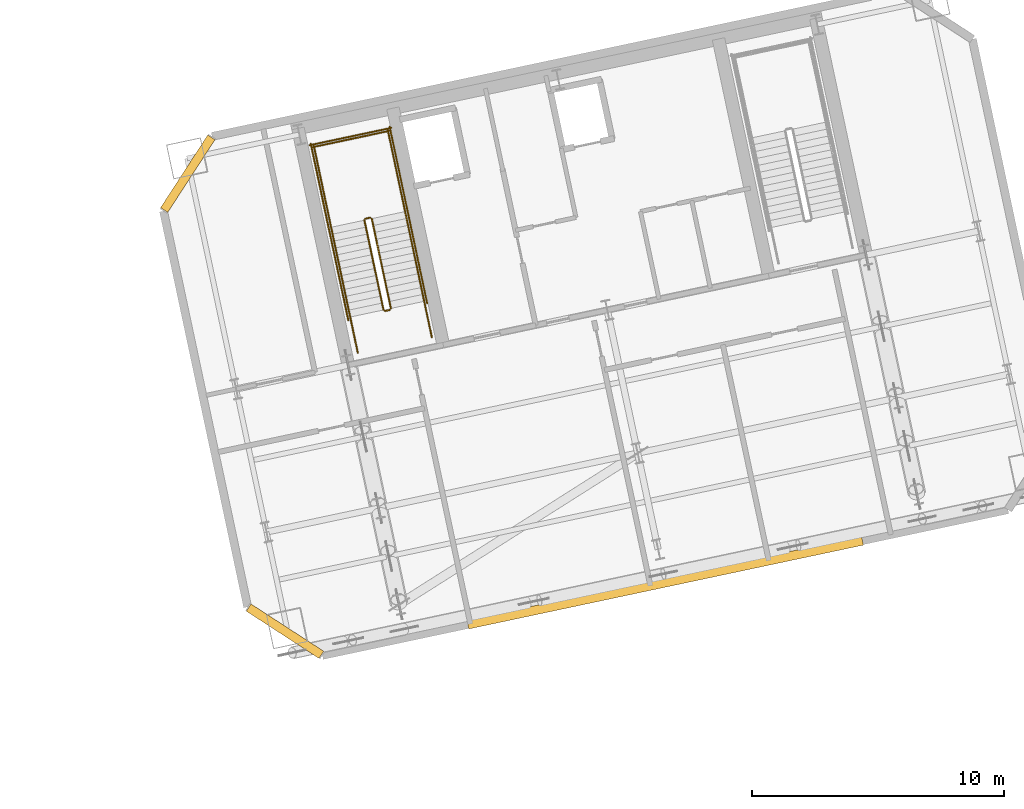
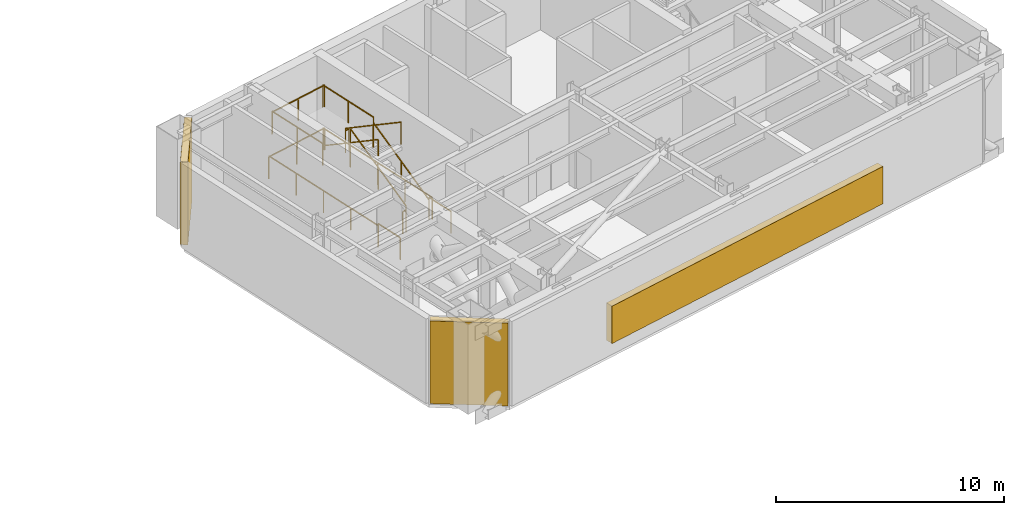
# One storey, part 14 of 15: 14 railings, 3 shading devices.
"""IFC4 building model written with IfcOpenShell, lengths in metres."""

from ifc_helpers import new_model, si_unit, direction, frame, origin, origin_2d, place, context, subcontext, project, spatial, rectangle, extrude, material, layer, layer_set, type_object, element, save


model = new_model("IFC4")

# Units and contexts
model_context = context("Model", 3, precision=1e-05, world=origin(), true_north=direction((0.0, 1.0)))
body_context = subcontext(model_context, "Body", "Model", "MODEL_VIEW")
ifc_project = project(units=[si_unit("LENGTHUNIT", "METRE"), si_unit("AREAUNIT", "SQUARE_METRE"), si_unit("VOLUMEUNIT", "CUBIC_METRE"), si_unit("PLANEANGLEUNIT", "RADIAN"), si_unit("MASSUNIT", "GRAM", prefix="KILO")], contexts=[model_context])

# Site, building, storey
site_placement = place(None, origin())
site = spatial("IfcSite", under=ifc_project, at=site_placement, CompositionType="ELEMENT")
building_placement = place(site_placement, origin())
building = spatial("IfcBuilding", under=site, at=building_placement, Name="Haevon Station Towers", CompositionType="ELEMENT")
storey_placement = place(building_placement, frame((0.0, 0.0, 138.0)))
storey = spatial("IfcBuildingStorey", under=building, at=storey_placement, Name="L37", CompositionType="ELEMENT", Elevation=138.0)

# Railings
ifc_material_1 = material(Name="Steel S355", Category="steel")
railing_type_1 = type_object("IfcRailingType", Name="GRD-STR1200", PredefinedType="GUARDRAIL", material=ifc_material_1)
railing_1_placement = place(storey_placement, frame((100.44140625, 39.69287109375, 0.17138671875)))
element("IfcRailing", 1, at=railing_1_placement, inside=storey, type_object=railing_type_1, Name="L37 ST3 Stair Guard 1", PredefinedType="GUARDRAIL", context=body_context, shape_type="SweptSolid", body=[
    extrude(rectangle(XDim=0.048095703125, YDim=0.048095703125, at=origin_2d()), frame((0.0, 0.0, 1.17578125), z_axis=(-0.17733280689, 0.834207846092, 0.522159310096), x_axis=(-0.978143676638, -0.20793015138, 0.0)), (0.0, 0.0, 1.0), 4.267822265625),
    extrude(rectangle(XDim=0.0419921875, YDim=0.0419921875, at=origin_2d()), origin(), (0.0, 0.0, 1.0), 1.15185546875),
    extrude(rectangle(XDim=0.0419921875, YDim=0.0419921875, at=origin_2d()), frame((-0.37841796875, 1.7802734375, 1.1142578125)), (0.0, 0.0, 1.0), 1.15185546875),
    extrude(rectangle(XDim=0.0419921875, YDim=0.0419921875, at=origin_2d()), frame((-0.7568359375, 3.560302734375, 2.228515625)), (0.0, 0.0, 1.0), 1.15185546875),
])
railing_2_placement = place(storey_placement, frame((99.625244140625, 43.291748046875, 2.39990234375)))
element("IfcRailing", 2, at=railing_2_placement, inside=storey, type_object=railing_type_1, Name="L37 ST3 Stair Guard 2", PredefinedType="GUARDRAIL", context=body_context, shape_type="SweptSolid", body=[
    extrude(rectangle(XDim=0.048095703125, YDim=0.048095703125, at=origin_2d()), frame((0.0, 0.0, 1.17578125), z_axis=(-0.978211583308, -0.207610448392, 0.0), x_axis=(0.207610448392, -0.978211583308, 0.0)), (0.0, 0.0, 1.0), 0.199951171875),
    extrude(rectangle(XDim=0.0419921875, YDim=0.0419921875, at=origin_2d()), origin(), (0.0, 0.0, 1.0), 1.15185546875),
    extrude(rectangle(XDim=0.0419921875, YDim=0.0419921875, at=origin_2d()), frame((-0.195556640625, -0.04150390625, 0.0)), (0.0, 0.0, 1.0), 1.15185546875),
])
railing_3_placement = place(storey_placement, frame((101.005126953125, 43.533935546875, 2.39990234375)))
element("IfcRailing", 3, at=railing_3_placement, inside=storey, type_object=railing_type_1, Name="L37 ST3 Stair Guard 3", PredefinedType="GUARDRAIL", context=body_context, shape_type="SweptSolid", body=[
    extrude(rectangle(XDim=0.048095703125, YDim=0.048095703125, at=origin_2d()), frame((0.0, 0.0, 1.17578125), z_axis=(-0.207931975805, 0.978143288807, 0.0), x_axis=(-0.978143288807, -0.207931975805, 0.0)), (0.0, 0.0, 1.0), 3.309814453125),
    extrude(rectangle(XDim=0.0419921875, YDim=0.0419921875, at=origin_2d()), origin(), (0.0, 0.0, 1.0), 1.15185546875),
    extrude(rectangle(XDim=0.0419921875, YDim=0.0419921875, at=origin_2d()), frame((-0.34423828125, 1.61865234375, 0.0)), (0.0, 0.0, 1.0), 1.15185546875),
    extrude(rectangle(XDim=0.0419921875, YDim=0.0419921875, at=origin_2d()), frame((-0.688232421875, 3.237548828125, 0.0)), (0.0, 0.0, 1.0), 1.15185546875),
])
railing_4_placement = place(storey_placement, frame((98.070556640625, 42.91015625, 2.39990234375)))
element("IfcRailing", 4, at=railing_4_placement, inside=storey, type_object=railing_type_1, Name="L37 ST3 Stair Guard 4", PredefinedType="GUARDRAIL", context=body_context, shape_type="SweptSolid", body=[
    extrude(rectangle(XDim=0.048095703125, YDim=0.048095703125, at=origin_2d()), frame((0.0, 0.0, 1.17578125), z_axis=(-0.207846406048, 0.978161475163, 0.0), x_axis=(-0.978161475163, -0.207846406048, 0.0)), (0.0, 0.0, 1.0), 3.31005859375),
    extrude(rectangle(XDim=0.0419921875, YDim=0.0419921875, at=origin_2d()), origin(), (0.0, 0.0, 1.0), 1.15185546875),
    extrude(rectangle(XDim=0.0419921875, YDim=0.0419921875, at=origin_2d()), frame((-0.343994140625, 1.618896484375, 0.0)), (0.0, 0.0, 1.0), 1.15185546875),
    extrude(rectangle(XDim=0.0419921875, YDim=0.0419921875, at=origin_2d()), frame((-0.68798828125, 3.23779296875, 0.0)), (0.0, 0.0, 1.0), 1.15185546875),
])
railing_5_placement = place(storey_placement, frame((100.376220703125, 46.733154296875, 2.39990234375)))
element("IfcRailing", 5, at=railing_5_placement, inside=storey, type_object=railing_type_1, Name="L37 ST3 Stair Guard 5", PredefinedType="GUARDRAIL", context=body_context, shape_type="SweptSolid", body=[
    extrude(rectangle(XDim=0.048095703125, YDim=0.048095703125, at=origin_2d()), frame((0.0, 0.0, 1.17578125), z_axis=(-0.978146839882, -0.207915270313, 0.0), x_axis=(0.207915270313, -0.978146839882, 0.0)), (0.0, 0.0, 1.0), 3.099853515625),
    extrude(rectangle(XDim=0.0419921875, YDim=0.0419921875, at=origin_2d()), origin(), (0.0, 0.0, 1.0), 1.15185546875),
    extrude(rectangle(XDim=0.0419921875, YDim=0.0419921875, at=origin_2d()), frame((-1.51611328125, -0.322265625, 0.0)), (0.0, 0.0, 1.0), 1.15185546875),
    extrude(rectangle(XDim=0.0419921875, YDim=0.0419921875, at=origin_2d()), frame((-3.0322265625, -0.64453125, 0.0)), (0.0, 0.0, 1.0), 1.15185546875),
])
railing_6_placement = place(storey_placement, frame((99.39111328125, 43.19091796875, 2.571533203125)))
element("IfcRailing", 6, at=railing_6_placement, inside=storey, type_object=railing_type_1, Name="L37 ST3 Stair Guard 6", PredefinedType="GUARDRAIL", context=body_context, shape_type="SweptSolid", body=[
    extrude(rectangle(XDim=0.048095703125, YDim=0.048095703125, at=origin_2d()), frame((0.0, 0.0, 1.17578125), z_axis=(0.177324344861, -0.834225240467, 0.522134393512), x_axis=(0.978146576304, 0.207916510322, 0.0)), (0.0, 0.0, 1.0), 4.26806640625),
    extrude(rectangle(XDim=0.0419921875, YDim=0.0419921875, at=origin_2d()), origin(), (0.0, 0.0, 1.0), 1.15185546875),
    extrude(rectangle(XDim=0.0419921875, YDim=0.0419921875, at=origin_2d()), frame((0.37841796875, -1.7802734375, 1.1142578125)), (0.0, 0.0, 1.0), 1.15185546875),
    extrude(rectangle(XDim=0.0419921875, YDim=0.0419921875, at=origin_2d()), frame((0.7568359375, -3.560546875, 2.228515625)), (0.0, 0.0, 1.0), 1.15185546875),
])
railing_7_placement = place(storey_placement, frame((100.40283203125, 39.633544921875, 0.0)))
element("IfcRailing", 7, at=railing_7_placement, inside=storey, type_object=railing_type_1, Name="L37 ST3 Stair Guard 7", PredefinedType="GUARDRAIL", context=body_context, shape_type="SweptSolid", body=[
    extrude(rectangle(XDim=0.048095703125, YDim=0.048095703125, at=origin_2d()), frame((0.0, 0.0, 1.17578125), z_axis=(-0.977962931203, -0.208778603291, 0.0), x_axis=(0.208778603291, -0.977962931203, 0.0)), (0.0, 0.0, 1.0), 0.199951171875),
    extrude(rectangle(XDim=0.0419921875, YDim=0.0419921875, at=origin_2d()), origin(), (0.0, 0.0, 1.0), 1.15185546875),
    extrude(rectangle(XDim=0.0419921875, YDim=0.0419921875, at=origin_2d()), frame((-0.195556640625, -0.041748046875, 0.0)), (0.0, 0.0, 1.0), 1.15185546875),
])
for number, where, name in (
    (8, (102.0634765625, 38.55517578125, 0.0), "L37 ST3 Stair Guard 8"),
    (9, (99.12890625, 37.931396484375, 0.0), "L37 ST3 Stair Guard 9"),
):
    element("IfcRailing", number, at=place(storey_placement, frame(where)), inside=storey, type_object=railing_type_1, Name=name, PredefinedType="GUARDRAIL", context=body_context, shape_type="SweptSolid", body=[
        extrude(rectangle(XDim=0.048095703125, YDim=0.048095703125, at=origin_2d()), frame((0.0, 0.0, 1.17578125), z_axis=(-0.207953405961, 0.978138732977, 0.0), x_axis=(-0.978138732977, -0.207953405961, 0.0)), (0.0, 0.0, 1.0), 1.449951171875),
        extrude(rectangle(XDim=0.0419921875, YDim=0.0419921875, at=origin_2d()), origin(), (0.0, 0.0, 1.0), 1.15185546875),
        extrude(rectangle(XDim=0.0419921875, YDim=0.0419921875, at=origin_2d()), frame((-0.301513671875, 1.418212890625, 0.0)), (0.0, 0.0, 1.0), 1.15185546875),
    ])
railing_8_placement = place(storey_placement, frame((101.88037109375, 39.896484375, 0.0)))
element("IfcRailing", 10, at=railing_8_placement, inside=storey, type_object=railing_type_1, Name="L37 ST3 Stair Guard 10", PredefinedType="GUARDRAIL", context=body_context, shape_type="SweptSolid", body=[
    extrude(rectangle(XDim=0.048095703125, YDim=0.048095703125, at=origin_2d()), frame((0.0, 0.0, 1.17578125), z_axis=(-0.207882442208, 0.978153817261, 0.0), x_axis=(-0.978153817261, -0.207882442208, 0.0)), (0.0, 0.0, 1.0), 7.14990234375),
    extrude(rectangle(XDim=0.0419921875, YDim=0.0419921875, at=origin_2d()), origin(), (0.0, 0.0, 1.0), 1.15185546875),
    extrude(rectangle(XDim=0.0419921875, YDim=0.0419921875, at=origin_2d()), frame((-0.37158203125, 1.74853515625, 0.0)), (0.0, 0.0, 1.0), 1.15185546875),
    extrude(rectangle(XDim=0.0419921875, YDim=0.0419921875, at=origin_2d()), frame((-0.7431640625, 3.496826171875, 0.0)), (0.0, 0.0, 1.0), 1.15185546875),
    extrude(rectangle(XDim=0.0419921875, YDim=0.0419921875, at=origin_2d()), frame((-1.11474609375, 5.2451171875, 0.0)), (0.0, 0.0, 1.0), 1.15185546875),
    extrude(rectangle(XDim=0.0419921875, YDim=0.0419921875, at=origin_2d()), frame((-1.486328125, 6.99365234375, 0.0)), (0.0, 0.0, 1.0), 1.15185546875),
])
railing_9_placement = place(storey_placement, frame((98.75048828125, 39.231201171875, 0.0)))
element("IfcRailing", 11, at=railing_9_placement, inside=storey, type_object=railing_type_1, Name="L37 ST3 Stair Guard 11", PredefinedType="GUARDRAIL", context=body_context, shape_type="SweptSolid", body=[
    extrude(rectangle(XDim=0.048095703125, YDim=0.048095703125, at=origin_2d()), frame((0.0, 0.0, 1.17578125), z_axis=(-0.207915112487, 0.978146873429, 0.0), x_axis=(-0.978146873429, -0.207915112487, 0.0)), (0.0, 0.0, 1.0), 7.14990234375),
    extrude(rectangle(XDim=0.0419921875, YDim=0.0419921875, at=origin_2d()), origin(), (0.0, 0.0, 1.0), 1.15185546875),
    extrude(rectangle(XDim=0.0419921875, YDim=0.0419921875, at=origin_2d()), frame((-0.37158203125, 1.74853515625, 0.0)), (0.0, 0.0, 1.0), 1.15185546875),
    extrude(rectangle(XDim=0.0419921875, YDim=0.0419921875, at=origin_2d()), frame((-0.7431640625, 3.496826171875, 0.0)), (0.0, 0.0, 1.0), 1.15185546875),
    extrude(rectangle(XDim=0.0419921875, YDim=0.0419921875, at=origin_2d()), frame((-1.114990234375, 5.2451171875, 0.0)), (0.0, 0.0, 1.0), 1.15185546875),
    extrude(rectangle(XDim=0.0419921875, YDim=0.0419921875, at=origin_2d()), frame((-1.486572265625, 6.99365234375, 0.0)), (0.0, 0.0, 1.0), 1.15185546875),
])
railing_10_placement = place(storey_placement, frame((100.453125, 46.8515625, 0.0)))
element("IfcRailing", 12, at=railing_10_placement, inside=storey, type_object=railing_type_1, Name="L37 ST3 Stair Guard 12", PredefinedType="GUARDRAIL", context=body_context, shape_type="SweptSolid", body=[
    extrude(rectangle(XDim=0.048095703125, YDim=0.048095703125, at=origin_2d()), frame((0.0, 0.0, 1.17578125), z_axis=(-0.978150764849, -0.207896804268, 0.0), x_axis=(0.207896804268, -0.978150764849, 0.0)), (0.0, 0.0, 1.0), 3.2998046875),
    extrude(rectangle(XDim=0.0419921875, YDim=0.0419921875, at=origin_2d()), origin(), (0.0, 0.0, 1.0), 1.15185546875),
    extrude(rectangle(XDim=0.0419921875, YDim=0.0419921875, at=origin_2d()), frame((-1.61376953125, -0.343017578125, 0.0)), (0.0, 0.0, 1.0), 1.15185546875),
    extrude(rectangle(XDim=0.0419921875, YDim=0.0419921875, at=origin_2d()), frame((-3.227783203125, -0.68603515625, 0.0)), (0.0, 0.0, 1.0), 1.15185546875),
])
railing_type_2 = type_object("IfcRailingType", Name="HND-STR900", PredefinedType="HANDRAIL", material=ifc_material_1)
railing_11_placement = place(storey_placement, frame((101.761962890625, 39.973388671875, 0.17138671875)))
element("IfcRailing", 13, at=railing_11_placement, inside=storey, type_object=railing_type_2, Name="L37 ST3 Stair Handrail 1", PredefinedType="HANDRAIL", context=body_context, shape_type="SweptSolid", body=[
    extrude(rectangle(XDim=0.048095703125, YDim=0.048095703125, at=origin_2d()), frame((0.0, 0.0, 0.8759765625), z_axis=(-0.177324344861, 0.834225240467, 0.522134393512), x_axis=(-0.978146576304, -0.207916510322, 0.0)), (0.0, 0.0, 1.0), 4.26806640625),
    extrude(rectangle(XDim=0.0419921875, YDim=0.0419921875, at=origin_2d()), origin(), (0.0, 0.0, 1.0), 0.851806640625),
    extrude(rectangle(XDim=0.0419921875, YDim=0.0419921875, at=origin_2d()), frame((-0.37841796875, 1.7802734375, 1.1142578125)), (0.0, 0.0, 1.0), 0.851806640625),
    extrude(rectangle(XDim=0.0419921875, YDim=0.0419921875, at=origin_2d()), frame((-0.7568359375, 3.560546875, 2.228515625)), (0.0, 0.0, 1.0), 0.851806640625),
])
railing_12_placement = place(storey_placement, frame((98.070556640625, 42.91015625, 2.571533203125)))
element("IfcRailing", 14, at=railing_12_placement, inside=storey, type_object=railing_type_2, Name="L37 ST3 Stair Handrail 2", PredefinedType="HANDRAIL", context=body_context, shape_type="SweptSolid", body=[
    extrude(rectangle(XDim=0.048095703125, YDim=0.048095703125, at=origin_2d()), frame((0.0, 0.0, 0.8759765625), z_axis=(0.177324344861, -0.834225240467, 0.522134393512), x_axis=(0.978146576304, 0.207916510322, 0.0)), (0.0, 0.0, 1.0), 4.26806640625),
    extrude(rectangle(XDim=0.0419921875, YDim=0.0419921875, at=origin_2d()), origin(), (0.0, 0.0, 1.0), 0.851806640625),
    extrude(rectangle(XDim=0.0419921875, YDim=0.0419921875, at=origin_2d()), frame((0.37841796875, -1.7802734375, 1.1142578125)), (0.0, 0.0, 1.0), 0.851806640625),
    extrude(rectangle(XDim=0.0419921875, YDim=0.0419921875, at=origin_2d()), frame((0.7568359375, -3.560546875, 2.228515625)), (0.0, 0.0, 1.0), 0.851806640625),
])

# Shading devices
ifc_material_2 = material(Name="Anodised aluminium 6063-T6", Category="aluminium")
ifc_layer_1 = layer(ifc_material_2, 0.1201171875)
ifc_layer_set_1 = layer_set([ifc_layer_1], Name="Anodised aluminium 6063-T6")
shading_device_type_1 = type_object("IfcShadingDeviceType", Name="SHD-REF-LOUVRE", PredefinedType="USERDEFINED", material=ifc_layer_set_1)
shading_device_placement = place(storey_placement, frame((111.3203125, 28.81689453125, 0.60009765625), z_axis=(0.0, 0.0, 1.0), x_axis=(0.978147600734, 0.207911690818, 0.0)))
element("IfcShadingDevice", 15, at=shading_device_placement, inside=storey, type_object=shading_device_type_1, Name="Tower 2 L37 Refuge Plant Weather Louvre", ObjectType="LOUVRE", PredefinedType="USERDEFINED", context=body_context, shape_type="SweptSolid", body=[
    extrude(rectangle(XDim=16.0, YDim=0.360107421875, at=origin_2d()), origin(), (0.0, 0.0, 1.0), 2.0),
])
ifc_layer_2 = layer(ifc_material_2, 0.139892578125)
ifc_layer_set_2 = layer_set([ifc_layer_2], Name="Anodised aluminium 6063-T6")
shading_device_type_2 = type_object("IfcShadingDeviceType", Name="SHD-WIND-BAFFLE", PredefinedType="SHUTTER", material=ifc_layer_set_2)
for number, where, z_axis, x_axis, name in (
    (16, (96.241455078125, 26.889892578125, 0.0498046875), (0.0, 0.0, 1.0), (-0.838670519647, 0.544639109388, 0.0), "Tower 2 L37 Wind-Corner Aerofoil Baffle SWC"),
    (17, (92.384765625, 45.034423828125, 0.0498046875), (0.0, 0.0, 1.0), (0.544639109388, 0.838670519647, 0.0), "Tower 2 L37 Wind-Corner Aerofoil Baffle NWC"),
):
    element("IfcShadingDevice", number, at=place(storey_placement, frame(where, z_axis=z_axis, x_axis=x_axis)), inside=storey, type_object=shading_device_type_2, Name=name, PredefinedType="SHUTTER", context=body_context, shape_type="SweptSolid", body=[
        extrude(rectangle(XDim=3.435546875, YDim=0.340087890625, at=origin_2d()), origin(), (0.0, 0.0, 1.0), 4.429931640625),
    ])

save(model, "model.ifc")
